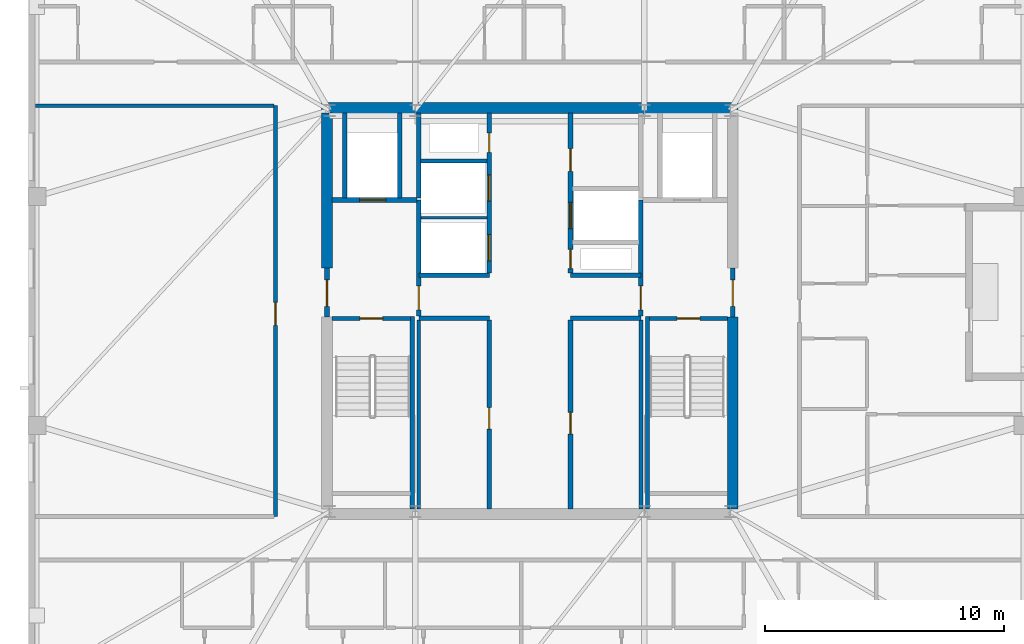
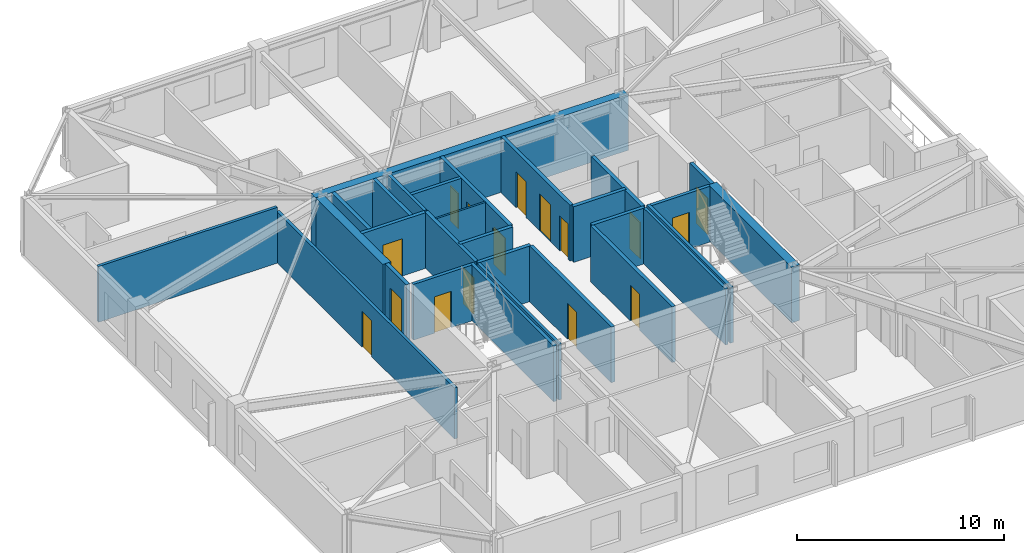
# One storey, part 8 of 14: 29 walls, 16 doors, 16 openings.
"""IFC4 building model written with IfcOpenShell, lengths in metres."""

from ifc_helpers import new_model, si_unit, direction, frame, frame_2d, origin, place, context, subcontext, project, spatial, rectangle, extrude, material, layer, layer_set, type_object, element, fill, save


model = new_model("IFC4")

# Units and contexts
model_context = context("Model", 3, precision=1e-05, world=origin(), true_north=direction((0.0, 1.0)))
body_context = subcontext(model_context, "Body", "Model", "MODEL_VIEW")
ifc_project = project(units=[si_unit("LENGTHUNIT", "METRE"), si_unit("AREAUNIT", "SQUARE_METRE"), si_unit("VOLUMEUNIT", "CUBIC_METRE"), si_unit("PLANEANGLEUNIT", "RADIAN"), si_unit("MASSUNIT", "GRAM", prefix="KILO")], contexts=[model_context])

# Site, building, storey
site_placement = place(None, origin())
site = spatial("IfcSite", under=ifc_project, at=site_placement, CompositionType="ELEMENT")
building_placement = place(site_placement, origin())
building = spatial("IfcBuilding", under=site, at=building_placement, Name="Cairnveth Concourse Tower", CompositionType="ELEMENT")
storey_placement = place(building_placement, frame((0.0, 0.0, 308.5)))
storey = spatial("IfcBuildingStorey", under=building, at=storey_placement, Name="L85", CompositionType="ELEMENT", Elevation=308.5)

# Walls
ifc_material_1 = material(Name="Gypsum Plasterboard Partition", Category="gypsum")
ifc_layer_1 = layer(ifc_material_1, 0.159912109375)
ifc_layer_set_1 = layer_set([ifc_layer_1], Name="Gypsum Plasterboard Partition")
wall_type_1 = type_object("IfcWallType", Name="ACOUSTIC PARTY WALL 180", PredefinedType="PARTITIONING", material=ifc_layer_set_1)
for number, where, z_axis, x_axis, name in (
    (1, (47.35009765625, 30.7099609375, 0.0), (0.0, 0.0, 1.0), (0.0, 1.0, 0.0), "Interior Wall IW-L85-025"),
    (2, (56.64990234375, 30.7099609375, 0.0), (0.0, 0.0, 1.0), (0.0, 1.0, 0.0), "Interior Wall IW-L85-026"),
):
    element("IfcWall", number, at=place(storey_placement, frame(where, z_axis=z_axis, x_axis=x_axis)), inside=storey, type_object=wall_type_1, Name=name, PredefinedType="PARTITIONING", context=body_context, shape_type="SweptSolid", body=[
        extrude(rectangle(XDim=7.905029296875, YDim=0.159912109375, at=frame_2d((3.95263671875, 0.0))), origin(), (0.0, 0.0, 1.0), 3.2900390625),
    ])

# Wall, opening, door
wall_1_placement = place(storey_placement, frame((41.35009765625, 30.39990234375, 0.0), z_axis=(0.0, 0.0, 1.0), x_axis=(0.0, 1.0, 0.0)))
wall_1 = element("IfcWall", 3, at=wall_1_placement, inside=storey, type_object=wall_type_1, Name="Interior Wall IW-L85-035", PredefinedType="PARTITIONING", context=body_context, shape_type="SweptSolid", body=[
    extrude(rectangle(XDim=17.2001953125, YDim=0.159912109375, at=frame_2d((8.60009765625, 0.0))), origin(), (0.0, 0.0, 1.0), 3.009033203125),
])
opening_1_placement = place(wall_1_placement, frame((8.0, 0.0, 0.0)))
opening_1 = element("IfcOpeningElement", 4, at=opening_1_placement, cuts=wall_1, Name="Opening ID11", PredefinedType="OPENING", context=body_context, shape_type="SweptSolid", body=[
    extrude(rectangle(XDim=0.9599609375, YDim=2.1201171875, at=frame_2d((0.47998046875, 1.06005859375))), frame((0.0, 0.08984375, 0.0), z_axis=(0.0, -1.0, 0.0), x_axis=(1.0, 0.0, 0.0)), (0.0, 0.0, 1.0), 0.179931640625),
])
ifc_material_2 = material(Name="Solid Core Hardwood Timber Leaf", Category="wood")
door_type_1 = type_object("IfcDoorType", Name="INTERIOR SINGLE DOOR 960X2150", OperationType="NOTDEFINED", PredefinedType="DOOR", material=ifc_material_2)
door_1_placement = place(opening_1_placement, origin())
door_1 = element("IfcDoor", 5, at=door_1_placement, inside=storey, type_object=door_type_1, Name="Interior Door DR-L85-042", OperationType="SINGLE_SWING_RIGHT", OverallHeight=2.1201171875, OverallWidth=0.9599609375, PredefinedType="DOOR", context=body_context, shape_type="SweptSolid", body=[
    extrude(rectangle(XDim=0.9599609375, YDim=2.1201171875, at=frame_2d((0.47998046875, 1.06005859375))), frame((0.0, 0.02490234375, 0.0), z_axis=(0.0, -1.0, 0.0), x_axis=(1.0, 0.0, 0.0)), (0.0, 0.0, 1.0), 0.050048828125),
])
fill(opening_1, door_1)

# Walls
wall_2_placement = place(storey_placement, frame((31.284912109375, 47.60009765625, 0.0), z_axis=(0.0, 0.0, 1.0), x_axis=(1.0, 0.0, 0.0)))
element("IfcWall", 6, at=wall_2_placement, inside=storey, type_object=wall_type_1, Name="Interior Wall IW-L85-038", PredefinedType="PARTITIONING", context=body_context, shape_type="SweptSolid", body=[
    extrude(rectangle(XDim=10.0, YDim=0.159912109375, at=frame_2d((5.0, 0.0))), origin(), (0.0, 0.0, 1.0), 3.2900390625),
])
ifc_material_3 = material(Name="Concrete N65 (65 MPa)", Category="concrete")
ifc_layer_2 = layer(ifc_material_3, 0.449951171875)
ifc_layer_set_2 = layer_set([ifc_layer_2], Name="Concrete N65 (65 MPa)")
wall_type_2 = type_object("IfcWallType", Name="CORE SHEAR WALL 450", PredefinedType="SHEAR", material=ifc_layer_set_2)
wall_3_placement = place(storey_placement, frame((43.27490234375, 47.5, 0.0), z_axis=(0.0, 0.0, 1.0), x_axis=(1.0, 0.0, 0.0)))
element("IfcWall", 7, at=wall_3_placement, inside=storey, type_object=wall_type_2, Name="Core North Shear Wall L85", PredefinedType="SHEAR", context=body_context, shape_type="SweptSolid", body=[
    extrude(rectangle(XDim=17.4501953125, YDim=0.449951171875, at=frame_2d((8.72509765625, 0.0))), origin(), (0.0, 0.0, 1.0), 3.2900390625),
])
wall_4_placement = place(storey_placement, frame((43.5, 40.800048828125, 0.0), z_axis=(0.0, 0.0, 1.0), x_axis=(0.0, 1.0, 0.0)))
element("IfcWall", 8, at=wall_4_placement, inside=storey, type_object=wall_type_2, Name="Core West Shear Wall N L85", PredefinedType="SHEAR", context=body_context, shape_type="SweptSolid", body=[
    extrude(rectangle(XDim=6.48486328125, YDim=0.449951171875, at=frame_2d((3.242431640625, 0.0))), origin(), (0.0, 0.0, 1.0), 3.2900390625),
])
wall_5_placement = place(storey_placement, frame((60.5, 30.715087890625, 0.0), z_axis=(0.0, 0.0, 1.0), x_axis=(0.0, 1.0, 0.0)))
element("IfcWall", 9, at=wall_5_placement, inside=storey, type_object=wall_type_2, Name="Core East Shear Wall S L85", PredefinedType="SHEAR", context=body_context, shape_type="SweptSolid", body=[
    extrude(rectangle(XDim=8.034912109375, YDim=0.449951171875, at=frame_2d((4.017578125, 0.0))), origin(), (0.0, 0.0, 1.0), 3.2900390625),
])
ifc_material_4 = material(Name="Concrete N50 (50 MPa)", Category="concrete")
ifc_layer_3 = layer(ifc_material_4, 0.179931640625)
ifc_layer_set_3 = layer_set([ifc_layer_3], Name="Concrete N50 (50 MPa)")
wall_type_3 = type_object("IfcWallType", Name="FIRE SHAFT WALL 180", PredefinedType="SOLIDWALL", material=ifc_layer_set_3)
wall_6_placement = place(storey_placement, frame((47.35009765625, 43.735107421875, 0.0), z_axis=(0.0, 0.0, 1.0), x_axis=(0.0, 1.0, 0.0)))
element("IfcWall", 10, at=wall_6_placement, inside=storey, type_object=wall_type_3, Name="Interior Wall IW-L85-027", PredefinedType="SOLIDWALL", context=body_context, shape_type="SweptSolid", body=[
    extrude(rectangle(XDim=3.554931640625, YDim=0.179931640625, at=frame_2d((1.77734375, 0.0))), origin(), (0.0, 0.0, 1.0), 3.2900390625),
])
wall_7_placement = place(storey_placement, frame((47.425048828125, 45.280029296875, 0.0), z_axis=(0.0, 0.0, 1.0), x_axis=(1.0, 0.0, 0.0)))
element("IfcWall", 11, at=wall_7_placement, inside=storey, type_object=wall_type_3, Name="Interior Wall IW-L85-029", PredefinedType="SOLIDWALL", context=body_context, shape_type="SweptSolid", body=[
    extrude(rectangle(XDim=2.7900390625, YDim=0.179931640625, at=frame_2d((1.39501953125, 0.0))), origin(), (0.0, 0.0, 1.0), 3.2900390625),
])

# Wall, opening, door
wall_8_placement = place(storey_placement, frame((43.715087890625, 38.68994140625, 0.0), z_axis=(0.0, 0.0, 1.0), x_axis=(1.0, 0.0, 0.0)))
wall_8 = element("IfcWall", 12, at=wall_8_placement, inside=storey, type_object=wall_type_3, Name="Stair ST-1 Shaft Wall NEAR L85", PredefinedType="SOLIDWALL", context=body_context, shape_type="SweptSolid", body=[
    extrude(rectangle(XDim=3.280029296875, YDim=0.179931640625, at=frame_2d((1.64013671875, 0.0))), origin(), (0.0, 0.0, 1.0), 3.2900390625),
])
opening_2_placement = place(wall_8_placement, frame((1.1650390625, 0.0, 0.0)))
opening_2 = element("IfcOpeningElement", 13, at=opening_2_placement, cuts=wall_8, Name="Opening ID12", PredefinedType="OPENING", context=body_context, shape_type="SweptSolid", body=[
    extrude(rectangle(XDim=0.949951171875, YDim=2.14990234375, at=frame_2d((0.47509765625, 1.074951171875))), frame((0.0, 0.099853515625, 0.0), z_axis=(0.0, -1.0, 0.0), x_axis=(1.0, 0.0, 0.0)), (0.0, 0.0, 1.0), 0.199951171875),
])
ifc_material_5 = material(Name="Steel Grade 350", Category="steel")
door_type_2 = type_object("IfcDoorType", Name="FIRE STAIR DOOR 950X2150", OperationType="NOTDEFINED", PredefinedType="DOOR", material=ifc_material_5)
door_2_placement = place(opening_2_placement, origin())
door_2 = element("IfcDoor", 14, at=door_2_placement, inside=storey, type_object=door_type_2, Name="Stair ST-1 Fire Door L85", OperationType="SINGLE_SWING_LEFT", OverallHeight=2.14990234375, OverallWidth=0.949951171875, PredefinedType="DOOR", context=body_context, shape_type="SweptSolid", body=[
    extrude(rectangle(XDim=0.949951171875, YDim=2.14990234375, at=frame_2d((0.47509765625, 1.074951171875))), frame((0.0, 0.02490234375, 0.0), z_axis=(0.0, -1.0, 0.0), x_axis=(1.0, 0.0, 0.0)), (0.0, 0.0, 1.0), 0.050048828125),
])
fill(opening_2, door_2)

# Wall
wall_9_placement = place(storey_placement, frame((47.070068359375, 38.780029296875, 0.0), z_axis=(0.0, 0.0, 1.0), x_axis=(0.0, -1.0, 0.0)))
element("IfcWall", 15, at=wall_9_placement, inside=storey, type_object=wall_type_3, Name="Stair ST-1 Shaft Wall RGHT L85", PredefinedType="SOLIDWALL", context=body_context, shape_type="SweptSolid", body=[
    extrude(rectangle(XDim=8.067138671875, YDim=0.179931640625, at=frame_2d((4.03369140625, 0.0))), origin(), (0.0, 0.0, 1.0), 3.2900390625),
])

# Wall, opening, door
wall_10_placement = place(storey_placement, frame((57.0048828125, 38.68994140625, 0.0), z_axis=(0.0, 0.0, 1.0), x_axis=(1.0, 0.0, 0.0)))
wall_10 = element("IfcWall", 16, at=wall_10_placement, inside=storey, type_object=wall_type_3, Name="Stair ST-2 Shaft Wall NEAR L85", PredefinedType="SOLIDWALL", context=body_context, shape_type="SweptSolid", body=[
    extrude(rectangle(XDim=3.280029296875, YDim=0.179931640625, at=frame_2d((1.64013671875, 0.0))), origin(), (0.0, 0.0, 1.0), 3.2900390625),
])
opening_3_placement = place(wall_10_placement, frame((1.1650390625, 0.0, 0.0)))
opening_3 = element("IfcOpeningElement", 17, at=opening_3_placement, cuts=wall_10, Name="Opening ID12", PredefinedType="OPENING", context=body_context, shape_type="SweptSolid", body=[
    extrude(rectangle(XDim=0.949951171875, YDim=2.14990234375, at=frame_2d((0.47509765625, 1.074951171875))), frame((0.0, 0.099853515625, 0.0), z_axis=(0.0, -1.0, 0.0), x_axis=(1.0, 0.0, 0.0)), (0.0, 0.0, 1.0), 0.199951171875),
])
door_3_placement = place(opening_3_placement, origin())
door_3 = element("IfcDoor", 18, at=door_3_placement, inside=storey, type_object=door_type_2, Name="Stair ST-2 Fire Door L85", OperationType="SINGLE_SWING_RIGHT", OverallHeight=2.14990234375, OverallWidth=0.949951171875, PredefinedType="DOOR", context=body_context, shape_type="SweptSolid", body=[
    extrude(rectangle(XDim=0.949951171875, YDim=2.14990234375, at=frame_2d((0.47509765625, 1.074951171875))), frame((0.0, 0.02490234375, 0.0), z_axis=(0.0, -1.0, 0.0), x_axis=(1.0, 0.0, 0.0)), (0.0, 0.0, 1.0), 0.050048828125),
])
fill(opening_3, door_3)

# Walls
wall_11_placement = place(storey_placement, frame((56.929931640625, 38.780029296875, 0.0), z_axis=(0.0, 0.0, 1.0), x_axis=(0.0, -1.0, 0.0)))
element("IfcWall", 19, at=wall_11_placement, inside=storey, type_object=wall_type_3, Name="Stair ST-2 Shaft Wall LEFT L85", PredefinedType="SOLIDWALL", context=body_context, shape_type="SweptSolid", body=[
    extrude(rectangle(XDim=8.067138671875, YDim=0.179931640625, at=frame_2d((4.03369140625, 0.0))), origin(), (0.0, 0.0, 1.0), 3.2900390625),
])
ifc_layer_4 = layer(ifc_material_4, 0.199951171875)
ifc_layer_set_4 = layer_set([ifc_layer_4], Name="Concrete N50 (50 MPa)")
wall_type_4 = type_object("IfcWallType", Name="FIRE SHAFT WALL 200", PredefinedType="SOLIDWALL", material=ifc_layer_set_4)
for number, where, z_axis, x_axis, name in (
    (20, (47.35009765625, 38.699951171875, 0.0), (0.0, 0.0, 1.0), (1.0, 0.0, 0.0), "Interior Wall IW-L85-007"),
    (21, (47.35009765625, 40.5, 0.0), (0.0, 0.0, 1.0), (1.0, 0.0, 0.0), "Interior Wall IW-L85-008"),
    (22, (53.699951171875, 38.699951171875, 0.0), (0.0, 0.0, 1.0), (1.0, 0.0, 0.0), "Interior Wall IW-L85-009"),
    (23, (53.699951171875, 40.5, 0.0), (0.0, 0.0, 1.0), (1.0, 0.0, 0.0), "Interior Wall IW-L85-010"),
):
    element("IfcWall", number, at=place(storey_placement, frame(where, z_axis=z_axis, x_axis=x_axis)), inside=storey, type_object=wall_type_4, Name=name, PredefinedType="SOLIDWALL", context=body_context, shape_type="SweptSolid", body=[
        extrude(rectangle(XDim=2.949951171875, YDim=0.199951171875, at=frame_2d((1.47509765625, 0.0))), origin(), (0.0, 0.0, 1.0), 3.2900390625),
    ])

# Wall, opening, door
wall_12_placement = place(storey_placement, frame((50.300048828125, 30.7099609375, 0.0), z_axis=(0.0, 0.0, 1.0), x_axis=(0.0, 1.0, 0.0)))
wall_12 = element("IfcWall", 24, at=wall_12_placement, inside=storey, type_object=wall_type_4, Name="Interior Wall IW-L85-011", PredefinedType="SOLIDWALL", context=body_context, shape_type="SweptSolid", body=[
    extrude(rectangle(XDim=7.905029296875, YDim=0.199951171875, at=frame_2d((3.95263671875, 0.0))), origin(), (0.0, 0.0, 1.0), 3.2900390625),
])
opening_4_placement = place(wall_12_placement, frame((3.340087890625, 0.0, 0.0)))
opening_4 = element("IfcOpeningElement", 25, at=opening_4_placement, cuts=wall_12, Name="Opening ID16", PredefinedType="OPENING", context=body_context, shape_type="SweptSolid", body=[
    extrude(rectangle(XDim=0.89990234375, YDim=2.1201171875, at=frame_2d((0.449951171875, 1.06005859375))), frame((0.0, 0.10986328125, 0.0), z_axis=(0.0, -1.0, 0.0), x_axis=(1.0, 0.0, 0.0)), (0.0, 0.0, 1.0), 0.219970703125),
])
door_type_3 = type_object("IfcDoorType", Name="CORE SERVICE DOOR 900X2100", OperationType="NOTDEFINED", PredefinedType="DOOR", material=ifc_material_5)
door_4_placement = place(opening_4_placement, origin())
door_4 = element("IfcDoor", 26, at=door_4_placement, inside=storey, type_object=door_type_3, Name="Linen Pantry Suite Door L85", OperationType="SINGLE_SWING_LEFT", OverallHeight=2.1201171875, OverallWidth=0.89990234375, PredefinedType="DOOR", context=body_context, shape_type="SweptSolid", body=[
    extrude(rectangle(XDim=0.89990234375, YDim=2.1201171875, at=frame_2d((0.449951171875, 1.06005859375))), frame((0.0, 0.02490234375, 0.0), z_axis=(0.0, -1.0, 0.0), x_axis=(1.0, 0.0, 0.0)), (0.0, 0.0, 1.0), 0.050048828125),
])
fill(opening_4, door_4)

wall_13_placement = place(storey_placement, frame((53.699951171875, 30.7099609375, 0.0), z_axis=(0.0, 0.0, 1.0), x_axis=(0.0, 1.0, 0.0)))
wall_13 = element("IfcWall", 27, at=wall_13_placement, inside=storey, type_object=wall_type_4, Name="Interior Wall IW-L85-012", PredefinedType="SOLIDWALL", context=body_context, shape_type="SweptSolid", body=[
    extrude(rectangle(XDim=7.905029296875, YDim=0.199951171875, at=frame_2d((3.95263671875, 0.0))), origin(), (0.0, 0.0, 1.0), 3.2900390625),
])
opening_5_placement = place(wall_13_placement, frame((3.139892578125, 0.0, 0.0)))
opening_5 = element("IfcOpeningElement", 28, at=opening_5_placement, cuts=wall_13, Name="Opening ID16", PredefinedType="OPENING", context=body_context, shape_type="SweptSolid", body=[
    extrude(rectangle(XDim=0.89990234375, YDim=2.1201171875, at=frame_2d((0.449951171875, 1.06005859375))), frame((0.0, 0.10986328125, 0.0), z_axis=(0.0, -1.0, 0.0), x_axis=(1.0, 0.0, 0.0)), (0.0, 0.0, 1.0), 0.219970703125),
])
door_5_placement = place(opening_5_placement, origin())
door_5 = element("IfcDoor", 29, at=door_5_placement, inside=storey, type_object=door_type_3, Name="Sky Pantry Door L85", OperationType="SINGLE_SWING_RIGHT", OverallHeight=2.1201171875, OverallWidth=0.89990234375, PredefinedType="DOOR", context=body_context, shape_type="SweptSolid", body=[
    extrude(rectangle(XDim=0.89990234375, YDim=2.1201171875, at=frame_2d((0.449951171875, 1.06005859375))), frame((0.0, 0.02490234375, 0.0), z_axis=(0.0, -1.0, 0.0), x_axis=(1.0, 0.0, 0.0)), (0.0, 0.0, 1.0), 0.050048828125),
])
fill(opening_5, door_5)

# Wall, openings, doors
wall_14_placement = place(storey_placement, frame((50.300048828125, 40.5849609375, 0.0), z_axis=(0.0, 0.0, 1.0), x_axis=(0.0, 1.0, 0.0)))
wall_14 = element("IfcWall", 30, at=wall_14_placement, inside=storey, type_object=wall_type_4, Name="Interior Wall IW-L85-013", PredefinedType="SOLIDWALL", context=body_context, shape_type="SweptSolid", body=[
    extrude(rectangle(XDim=6.705078125, YDim=0.199951171875, at=frame_2d((3.3525390625, 0.0))), origin(), (0.0, 0.0, 1.0), 3.2900390625),
])
opening_6_placement = place(wall_14_placement, frame((0.514892578125, 0.0, 0.0)))
opening_6 = element("IfcOpeningElement", 31, at=opening_6_placement, cuts=wall_14, Name="Opening LD-1", PredefinedType="OPENING", context=body_context, shape_type="SweptSolid", body=[
    extrude(rectangle(XDim=1.10009765625, YDim=2.199951171875, at=frame_2d((0.550048828125, 1.10009765625))), frame((0.0, 0.10986328125, 0.0), z_axis=(0.0, -1.0, 0.0), x_axis=(1.0, 0.0, 0.0)), (0.0, 0.0, 1.0), 0.219970703125),
])
opening_7_placement = place(wall_14_placement, frame((3.014892578125, 0.0, 0.0)))
opening_7 = element("IfcOpeningElement", 32, at=opening_7_placement, cuts=wall_14, Name="Opening LD-1", PredefinedType="OPENING", context=body_context, shape_type="SweptSolid", body=[
    extrude(rectangle(XDim=1.10009765625, YDim=2.199951171875, at=frame_2d((0.550048828125, 1.10009765625))), frame((0.0, 0.10986328125, 0.0), z_axis=(0.0, -1.0, 0.0), x_axis=(1.0, 0.0, 0.0)), (0.0, 0.0, 1.0), 0.219970703125),
])
opening_8_placement = place(wall_14_placement, frame((5.06494140625, 0.0, 0.0)))
opening_8 = element("IfcOpeningElement", 33, at=opening_8_placement, cuts=wall_14, Name="Opening ID24", PredefinedType="OPENING", context=body_context, shape_type="SweptSolid", body=[
    extrude(rectangle(XDim=0.800048828125, YDim=2.080078125, at=frame_2d((0.39990234375, 1.0400390625))), frame((0.0, 0.10986328125, 0.0), z_axis=(0.0, -1.0, 0.0), x_axis=(1.0, 0.0, 0.0)), (0.0, 0.0, 1.0), 0.219970703125),
])
ifc_material_6 = material(Name="Architectural Bronze Anodised Aluminium 6063-T6", Category="aluminium")
door_type_4 = type_object("IfcDoorType", Name="LIFT LANDING DOOR 1100X2200", OperationType="SLIDING_TO_LEFT", PredefinedType="DOOR", material=ifc_material_6)
door_6_placement = place(opening_6_placement, origin())
door_6 = element("IfcDoor", 34, at=door_6_placement, inside=storey, type_object=door_type_4, Name="Lift PL7 Landing Door L85", OperationType="SLIDING_TO_LEFT", OverallHeight=2.199951171875, OverallWidth=1.10009765625, PredefinedType="DOOR", context=body_context, shape_type="SweptSolid", body=[
    extrude(rectangle(XDim=1.10009765625, YDim=2.199951171875, at=frame_2d((0.550048828125, 1.10009765625))), frame((0.0, 0.02490234375, 0.0), z_axis=(0.0, -1.0, 0.0), x_axis=(1.0, 0.0, 0.0)), (0.0, 0.0, 1.0), 0.050048828125),
])
fill(opening_6, door_6)
door_7_placement = place(opening_7_placement, origin())
door_7 = element("IfcDoor", 35, at=door_7_placement, inside=storey, type_object=door_type_4, Name="Lift PL8 Landing Door L85", OperationType="SLIDING_TO_LEFT", OverallHeight=2.199951171875, OverallWidth=1.10009765625, PredefinedType="DOOR", context=body_context, shape_type="SweptSolid", body=[
    extrude(rectangle(XDim=1.10009765625, YDim=2.199951171875, at=frame_2d((0.550048828125, 1.10009765625))), frame((0.0, 0.02490234375, 0.0), z_axis=(0.0, -1.0, 0.0), x_axis=(1.0, 0.0, 0.0)), (0.0, 0.0, 1.0), 0.050048828125),
])
fill(opening_7, door_7)
door_type_5 = type_object("IfcDoorType", Name="RISER ACCESS DOOR 800X2100", OperationType="NOTDEFINED", PredefinedType="DOOR", material=ifc_material_5)
door_8_placement = place(opening_8_placement, origin())
door_8 = element("IfcDoor", 36, at=door_8_placement, inside=storey, type_object=door_type_5, Name="NW Electrical Riser Access Door L85", OperationType="SINGLE_SWING_LEFT", OverallHeight=2.080078125, OverallWidth=0.800048828125, PredefinedType="DOOR", context=body_context, shape_type="SweptSolid", body=[
    extrude(rectangle(XDim=0.800048828125, YDim=2.080078125, at=frame_2d((0.39990234375, 1.0400390625))), frame((0.0, 0.02490234375, 0.0), z_axis=(0.0, -1.0, 0.0), x_axis=(1.0, 0.0, 0.0)), (0.0, 0.0, 1.0), 0.050048828125),
])
fill(opening_8, door_8)

wall_15_placement = place(storey_placement, frame((53.699951171875, 40.5849609375, 0.0), z_axis=(0.0, 0.0, 1.0), x_axis=(0.0, 1.0, 0.0)))
wall_15 = element("IfcWall", 37, at=wall_15_placement, inside=storey, type_object=wall_type_4, Name="Interior Wall IW-L85-014", PredefinedType="SOLIDWALL", context=body_context, shape_type="SweptSolid", body=[
    extrude(rectangle(XDim=6.705078125, YDim=0.199951171875, at=frame_2d((3.3525390625, 0.0))), origin(), (0.0, 0.0, 1.0), 3.2900390625),
])
opening_9_placement = place(wall_15_placement, frame((0.195068359375, 0.0, 0.0)))
opening_9 = element("IfcOpeningElement", 38, at=opening_9_placement, cuts=wall_15, Name="Opening ID24", PredefinedType="OPENING", context=body_context, shape_type="SweptSolid", body=[
    extrude(rectangle(XDim=0.800048828125, YDim=2.080078125, at=frame_2d((0.39990234375, 1.0400390625))), frame((0.0, 0.10986328125, 0.0), z_axis=(0.0, -1.0, 0.0), x_axis=(1.0, 0.0, 0.0)), (0.0, 0.0, 1.0), 0.219970703125),
])
opening_10_placement = place(wall_15_placement, frame((1.864990234375, 0.0, 0.0)))
opening_10 = element("IfcOpeningElement", 39, at=opening_10_placement, cuts=wall_15, Name="Opening LD-1", PredefinedType="OPENING", context=body_context, shape_type="SweptSolid", body=[
    extrude(rectangle(XDim=1.10009765625, YDim=2.199951171875, at=frame_2d((0.550048828125, 1.10009765625))), frame((0.0, 0.10986328125, 0.0), z_axis=(0.0, -1.0, 0.0), x_axis=(1.0, 0.0, 0.0)), (0.0, 0.0, 1.0), 0.219970703125),
])
opening_11_placement = place(wall_15_placement, frame((4.264892578125, 0.0, 0.0)))
opening_11 = element("IfcOpeningElement", 40, at=opening_11_placement, cuts=wall_15, Name="Opening ID25", PredefinedType="OPENING", context=body_context, shape_type="SweptSolid", body=[
    extrude(rectangle(XDim=0.949951171875, YDim=2.1201171875, at=frame_2d((0.47509765625, 1.06005859375))), frame((0.0, 0.10986328125, 0.0), z_axis=(0.0, -1.0, 0.0), x_axis=(1.0, 0.0, 0.0)), (0.0, 0.0, 1.0), 0.219970703125),
])
door_type_6 = type_object("IfcDoorType", Name="CORE ACCESSIBLE FIRE DOOR 950X2120", OperationType="NOTDEFINED", PredefinedType="DOOR", material=ifc_material_5)
door_9_placement = place(opening_11_placement, origin())
door_9 = element("IfcDoor", 41, at=door_9_placement, inside=storey, type_object=door_type_6, Name="Core NE Accessible WC Door L85", OperationType="SINGLE_SWING_RIGHT", OverallHeight=2.1201171875, OverallWidth=0.949951171875, PredefinedType="DOOR", context=body_context, shape_type="SweptSolid", body=[
    extrude(rectangle(XDim=0.949951171875, YDim=2.1201171875, at=frame_2d((0.47509765625, 1.06005859375))), frame((0.0, 0.02490234375, 0.0), z_axis=(0.0, -1.0, 0.0), x_axis=(1.0, 0.0, 0.0)), (0.0, 0.0, 1.0), 0.050048828125),
])
fill(opening_11, door_9)
door_10_placement = place(opening_10_placement, origin())
door_10 = element("IfcDoor", 42, at=door_10_placement, inside=storey, type_object=door_type_4, Name="Lift PL9 Landing Door L85", OperationType="SLIDING_TO_LEFT", OverallHeight=2.199951171875, OverallWidth=1.10009765625, PredefinedType="DOOR", context=body_context, shape_type="SweptSolid", body=[
    extrude(rectangle(XDim=1.10009765625, YDim=2.199951171875, at=frame_2d((0.550048828125, 1.10009765625))), frame((0.0, 0.02490234375, 0.0), z_axis=(0.0, -1.0, 0.0), x_axis=(1.0, 0.0, 0.0)), (0.0, 0.0, 1.0), 0.050048828125),
])
fill(opening_10, door_10)
door_11_placement = place(opening_9_placement, origin())
door_11 = element("IfcDoor", 43, at=door_11_placement, inside=storey, type_object=door_type_5, Name="Hydraulic Riser Door L85", OperationType="SINGLE_SWING_RIGHT", OverallHeight=2.080078125, OverallWidth=0.800048828125, PredefinedType="DOOR", context=body_context, shape_type="SweptSolid", body=[
    extrude(rectangle(XDim=0.800048828125, YDim=2.080078125, at=frame_2d((0.39990234375, 1.0400390625))), frame((0.0, 0.02490234375, 0.0), z_axis=(0.0, -1.0, 0.0), x_axis=(1.0, 0.0, 0.0)), (0.0, 0.0, 1.0), 0.050048828125),
])
fill(opening_9, door_11)

# Wall, opening, door
wall_16_placement = place(storey_placement, frame((43.5, 38.75, 0.0), z_axis=(0.0, 0.0, 1.0), x_axis=(0.0, 1.0, 0.0)))
wall_16 = element("IfcWall", 44, at=wall_16_placement, inside=storey, type_object=wall_type_4, Name="Interior Wall IW-L85-015", PredefinedType="SOLIDWALL", context=body_context, shape_type="SweptSolid", body=[
    extrude(rectangle(XDim=2.050048828125, YDim=0.199951171875, at=frame_2d((1.02490234375, 0.0))), origin(), (0.0, 0.0, 1.0), 3.2900390625),
])
opening_12_placement = place(wall_16_placement, frame((0.449951171875, 0.0, 0.0)))
opening_12 = element("IfcOpeningElement", 45, at=opening_12_placement, cuts=wall_16, Name="Opening ID06", PredefinedType="OPENING", context=body_context, shape_type="SweptSolid", body=[
    extrude(rectangle(XDim=1.10009765625, YDim=2.14990234375, at=frame_2d((0.550048828125, 1.074951171875))), frame((0.0, 0.10986328125, 0.0), z_axis=(0.0, -1.0, 0.0), x_axis=(1.0, 0.0, 0.0)), (0.0, 0.0, 1.0), 0.219970703125),
])
door_type_7 = type_object("IfcDoorType", Name="FIRE CORRIDOR DOOR 1100X2150", OperationType="NOTDEFINED", PredefinedType="DOOR", material=ifc_material_5)
door_12_placement = place(opening_12_placement, origin())
door_12 = element("IfcDoor", 46, at=door_12_placement, inside=storey, type_object=door_type_7, Name="West Wing to FF Lobby Door L85", OperationType="SINGLE_SWING_LEFT", OverallHeight=2.14990234375, OverallWidth=1.10009765625, PredefinedType="DOOR", context=body_context, shape_type="SweptSolid", body=[
    extrude(rectangle(XDim=1.10009765625, YDim=2.14990234375, at=frame_2d((0.550048828125, 1.074951171875))), frame((0.0, 0.02490234375, 0.0), z_axis=(0.0, -1.0, 0.0), x_axis=(1.0, 0.0, 0.0)), (0.0, 0.0, 1.0), 0.050048828125),
])
fill(opening_12, door_12)

wall_17_placement = place(storey_placement, frame((47.35009765625, 38.784912109375, 0.0), z_axis=(0.0, 0.0, 1.0), x_axis=(0.0, 1.0, 0.0)))
wall_17 = element("IfcWall", 47, at=wall_17_placement, inside=storey, type_object=wall_type_4, Name="Interior Wall IW-L85-016", PredefinedType="SOLIDWALL", context=body_context, shape_type="SweptSolid", body=[
    extrude(rectangle(XDim=4.864990234375, YDim=0.199951171875, at=frame_2d((2.4326171875, 0.0))), origin(), (0.0, 0.0, 1.0), 3.2900390625),
])
opening_13_placement = place(wall_17_placement, frame((0.264892578125, 0.0, 0.0)))
opening_13 = element("IfcOpeningElement", 48, at=opening_13_placement, cuts=wall_17, Name="Opening ID07", PredefinedType="OPENING", context=body_context, shape_type="SweptSolid", body=[
    extrude(rectangle(XDim=1.0, YDim=2.14990234375, at=frame_2d((0.5, 1.074951171875))), frame((0.0, 0.10986328125, 0.0), z_axis=(0.0, -1.0, 0.0), x_axis=(1.0, 0.0, 0.0)), (0.0, 0.0, 1.0), 0.219970703125),
])
door_type_8 = type_object("IfcDoorType", Name="FIRE CORRIDOR DOOR 1000X2150", OperationType="NOTDEFINED", PredefinedType="DOOR", material=ifc_material_5)
door_13_placement = place(opening_13_placement, origin())
door_13 = element("IfcDoor", 49, at=door_13_placement, inside=storey, type_object=door_type_8, Name="FF Lobby West to Lift Lobby Door L85", OperationType="SINGLE_SWING_RIGHT", OverallHeight=2.14990234375, OverallWidth=1.0, PredefinedType="DOOR", context=body_context, shape_type="SweptSolid", body=[
    extrude(rectangle(XDim=1.0, YDim=2.14990234375, at=frame_2d((0.5, 1.074951171875))), frame((0.0, 0.02490234375, 0.0), z_axis=(0.0, -1.0, 0.0), x_axis=(1.0, 0.0, 0.0)), (0.0, 0.0, 1.0), 0.050048828125),
])
fill(opening_13, door_13)

wall_18_placement = place(storey_placement, frame((43.7099609375, 43.64990234375, 0.0), z_axis=(0.0, 0.0, 1.0), x_axis=(1.0, 0.0, 0.0)))
wall_18 = element("IfcWall", 50, at=wall_18_placement, inside=storey, type_object=wall_type_4, Name="Interior Wall IW-L85-017", PredefinedType="SOLIDWALL", context=body_context, shape_type="SweptSolid", body=[
    extrude(rectangle(XDim=3.554931640625, YDim=0.199951171875, at=frame_2d((1.77734375, 0.0))), origin(), (0.0, 0.0, 1.0), 3.2900390625),
])
opening_14_placement = place(wall_18_placement, frame((1.159912109375, 0.0, 0.0)))
opening_14 = element("IfcOpeningElement", 51, at=opening_14_placement, cuts=wall_18, Name="Opening LD-1", PredefinedType="OPENING", context=body_context, shape_type="SweptSolid", body=[
    extrude(rectangle(XDim=1.10009765625, YDim=2.199951171875, at=frame_2d((0.550048828125, 1.10009765625))), frame((0.0, 0.10986328125, 0.0), z_axis=(0.0, -1.0, 0.0), x_axis=(1.0, 0.0, 0.0)), (0.0, 0.0, 1.0), 0.219970703125),
])
door_14_placement = place(opening_14_placement, origin())
door_14 = element("IfcDoor", 52, at=door_14_placement, inside=storey, type_object=door_type_4, Name="Lift FFL1 Landing Door L85", OperationType="SLIDING_TO_LEFT", OverallHeight=2.199951171875, OverallWidth=1.10009765625, PredefinedType="DOOR", context=body_context, shape_type="SweptSolid", body=[
    extrude(rectangle(XDim=1.10009765625, YDim=2.199951171875, at=frame_2d((0.550048828125, 1.10009765625))), frame((0.0, 0.02490234375, 0.0), z_axis=(0.0, -1.0, 0.0), x_axis=(1.0, 0.0, 0.0)), (0.0, 0.0, 1.0), 0.050048828125),
])
fill(opening_14, door_14)

# Walls
for number, where, z_axis, x_axis, name in (
    (53, (46.550048828125, 43.735107421875, 0.0), (0.0, 0.0, 1.0), (0.0, 1.0, 0.0), "Interior Wall IW-L85-018"),
    (54, (44.25, 43.735107421875, 0.0), (0.0, 0.0, 1.0), (0.0, 1.0, 0.0), "Interior Wall IW-L85-019"),
):
    element("IfcWall", number, at=place(storey_placement, frame(where, z_axis=z_axis, x_axis=x_axis)), inside=storey, type_object=wall_type_4, Name=name, PredefinedType="SOLIDWALL", context=body_context, shape_type="SweptSolid", body=[
        extrude(rectangle(XDim=3.554931640625, YDim=0.199951171875, at=frame_2d((1.77734375, 0.0))), origin(), (0.0, 0.0, 1.0), 3.2900390625),
    ])

# Wall, opening, door
wall_19_placement = place(storey_placement, frame((60.5, 38.75, 0.0), z_axis=(0.0, 0.0, 1.0), x_axis=(0.0, 1.0, 0.0)))
wall_19 = element("IfcWall", 55, at=wall_19_placement, inside=storey, type_object=wall_type_4, Name="Interior Wall IW-L85-020", PredefinedType="SOLIDWALL", context=body_context, shape_type="SweptSolid", body=[
    extrude(rectangle(XDim=2.050048828125, YDim=0.199951171875, at=frame_2d((1.02490234375, 0.0))), origin(), (0.0, 0.0, 1.0), 3.2900390625),
])
opening_15_placement = place(wall_19_placement, frame((0.449951171875, 0.0, 0.0)))
opening_15 = element("IfcOpeningElement", 56, at=opening_15_placement, cuts=wall_19, Name="Opening ID06", PredefinedType="OPENING", context=body_context, shape_type="SweptSolid", body=[
    extrude(rectangle(XDim=1.10009765625, YDim=2.14990234375, at=frame_2d((0.550048828125, 1.074951171875))), frame((0.0, 0.10986328125, 0.0), z_axis=(0.0, -1.0, 0.0), x_axis=(1.0, 0.0, 0.0)), (0.0, 0.0, 1.0), 0.219970703125),
])
door_15_placement = place(opening_15_placement, origin())
door_15 = element("IfcDoor", 57, at=door_15_placement, inside=storey, type_object=door_type_7, Name="East Wing to FF Lobby Door L85", OperationType="SINGLE_SWING_RIGHT", OverallHeight=2.14990234375, OverallWidth=1.10009765625, PredefinedType="DOOR", context=body_context, shape_type="SweptSolid", body=[
    extrude(rectangle(XDim=1.10009765625, YDim=2.14990234375, at=frame_2d((0.550048828125, 1.074951171875))), frame((0.0, 0.02490234375, 0.0), z_axis=(0.0, -1.0, 0.0), x_axis=(1.0, 0.0, 0.0)), (0.0, 0.0, 1.0), 0.050048828125),
])
fill(opening_15, door_15)

wall_20_placement = place(storey_placement, frame((56.64990234375, 38.784912109375, 0.0), z_axis=(0.0, 0.0, 1.0), x_axis=(0.0, 1.0, 0.0)))
wall_20 = element("IfcWall", 58, at=wall_20_placement, inside=storey, type_object=wall_type_4, Name="Interior Wall IW-L85-021", PredefinedType="SOLIDWALL", context=body_context, shape_type="SweptSolid", body=[
    extrude(rectangle(XDim=4.864990234375, YDim=0.199951171875, at=frame_2d((2.4326171875, 0.0))), origin(), (0.0, 0.0, 1.0), 3.2900390625),
])
opening_16_placement = place(wall_20_placement, frame((0.264892578125, 0.0, 0.0)))
opening_16 = element("IfcOpeningElement", 59, at=opening_16_placement, cuts=wall_20, Name="Opening ID07", PredefinedType="OPENING", context=body_context, shape_type="SweptSolid", body=[
    extrude(rectangle(XDim=1.0, YDim=2.14990234375, at=frame_2d((0.5, 1.074951171875))), frame((0.0, 0.10986328125, 0.0), z_axis=(0.0, -1.0, 0.0), x_axis=(1.0, 0.0, 0.0)), (0.0, 0.0, 1.0), 0.219970703125),
])
door_16_placement = place(opening_16_placement, origin())
door_16 = element("IfcDoor", 60, at=door_16_placement, inside=storey, type_object=door_type_8, Name="FF Lobby East to Lift Lobby Door L85", OperationType="SINGLE_SWING_LEFT", OverallHeight=2.14990234375, OverallWidth=1.0, PredefinedType="DOOR", context=body_context, shape_type="SweptSolid", body=[
    extrude(rectangle(XDim=1.0, YDim=2.14990234375, at=frame_2d((0.5, 1.074951171875))), frame((0.0, 0.02490234375, 0.0), z_axis=(0.0, -1.0, 0.0), x_axis=(1.0, 0.0, 0.0)), (0.0, 0.0, 1.0), 0.050048828125),
])
fill(opening_16, door_16)

# Wall
ifc_layer_5 = layer(ifc_material_1, 0.110107421875)
ifc_layer_set_5 = layer_set([ifc_layer_5], Name="Gypsum Plasterboard Partition")
wall_type_5 = type_object("IfcWallType", Name="SHAFT DIVIDER WALL 140", PredefinedType="PARTITIONING", material=ifc_layer_set_5)
wall_21_placement = place(storey_placement, frame((47.43505859375, 42.89990234375, 0.0), z_axis=(0.0, 0.0, 1.0), x_axis=(1.0, 0.0, 0.0)))
element("IfcWall", 61, at=wall_21_placement, inside=storey, type_object=wall_type_5, Name="Interior Wall IW-L85-028", PredefinedType="PARTITIONING", context=body_context, shape_type="SweptSolid", body=[
    extrude(rectangle(XDim=2.780029296875, YDim=0.110107421875, at=frame_2d((1.39013671875, 0.0))), origin(), (0.0, 0.0, 1.0), 3.2900390625),
])

save(model, "model.ifc")
